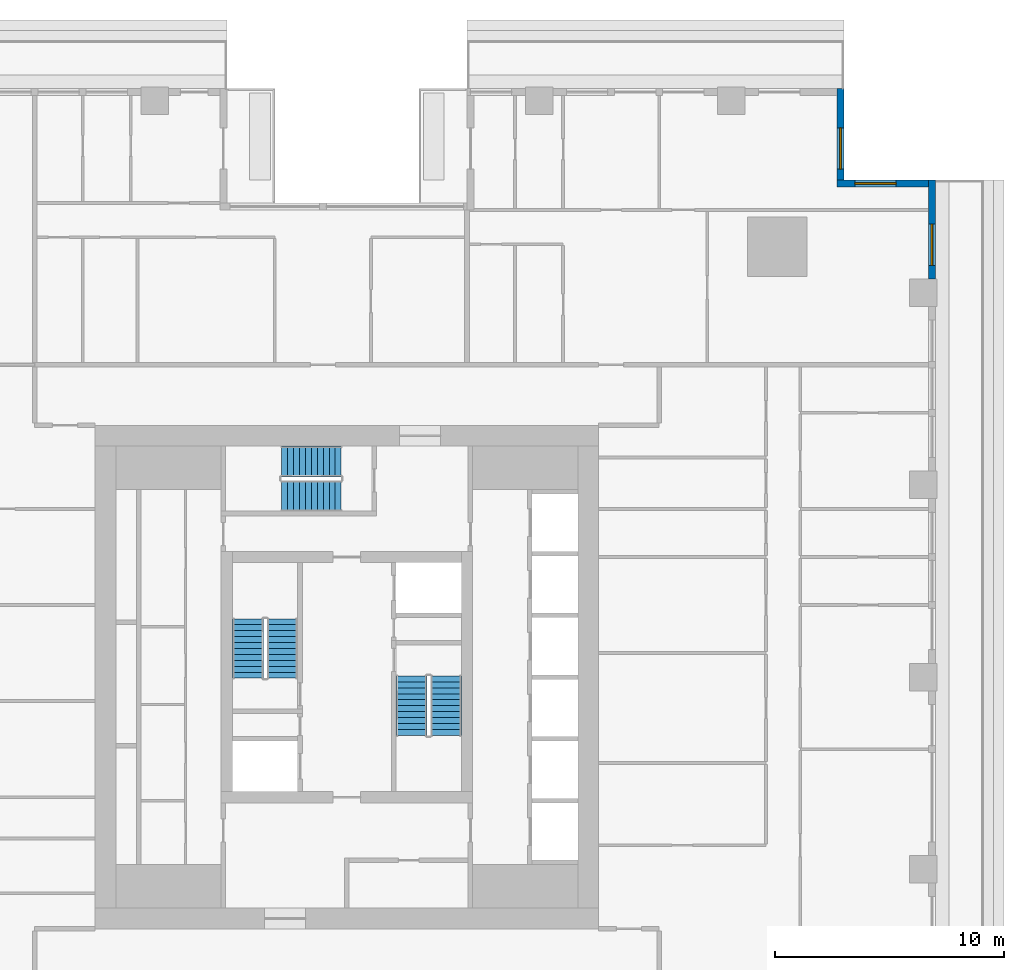
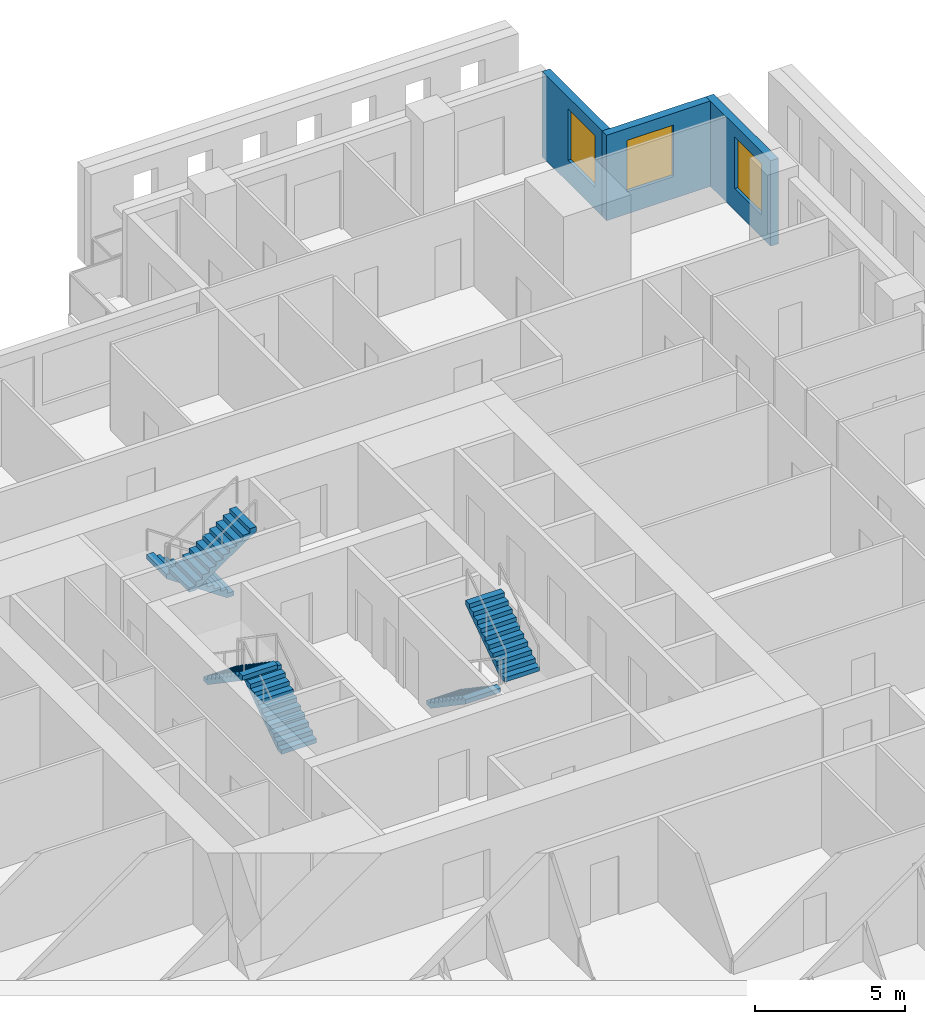
# One storey, part 10 of 16: 6 stair flights, 3 walls, 3 windows, 3 openings, 3 elements without a shape of their own.
"""IFC4 building model written with IfcOpenShell, lengths in metres."""

from ifc_helpers import new_model, si_unit, direction, frame, frame_2d, origin, place, context, subcontext, project, spatial, polyline, rectangle, outline, extrude, material, layer, layer_set, type_object, element, fill, aggregate, save


model = new_model("IFC4")

# Units and contexts
model_context = context("Model", 3, precision=1e-05, world=origin(), true_north=direction((0.0, 1.0)))
body_context = subcontext(model_context, "Body", "Model", "MODEL_VIEW")
ifc_project = project(units=[si_unit("LENGTHUNIT", "METRE"), si_unit("AREAUNIT", "SQUARE_METRE"), si_unit("VOLUMEUNIT", "CUBIC_METRE"), si_unit("PLANEANGLEUNIT", "RADIAN"), si_unit("MASSUNIT", "GRAM", prefix="KILO")], contexts=[model_context])

# Site, building, storey
site_placement = place(None, origin())
site = spatial("IfcSite", under=ifc_project, at=site_placement, CompositionType="ELEMENT")
building_placement = place(site_placement, origin())
building = spatial("IfcBuilding", under=site, at=building_placement, Name="Khepri Terraces", CompositionType="ELEMENT")
storey_placement = place(building_placement, frame((0.0, 0.0, 141.60009765625)))
storey = spatial("IfcBuildingStorey", under=building, at=storey_placement, Name="L33", CompositionType="ELEMENT", Elevation=141.60009765625)

# Wall, opening, window
ifc_material_1 = material(Name="Precast concrete C50/60 warm stone", Category="masonry")
ifc_layer = layer(ifc_material_1, 0.300048828125, Name="Precast concrete C50/60 warm stone", Category="masonry")
ifc_layer_set = layer_set([ifc_layer], Name="Precast concrete C50/60 warm stone")
wall_type = type_object("IfcWallType", Name="WL-EXT-PRECAST-300", PredefinedType="STANDARD", material=ifc_layer_set)
wall_1_placement = place(storey_placement, frame((25.570068359375, 17.39990234375, 0.0), z_axis=(0.0, 0.0, 1.0), x_axis=(0.0, 1.0, 0.0)))
wall_1 = element("IfcWall", 1, at=wall_1_placement, inside=storey, type_object=wall_type, Name="External wall L33 E", PredefinedType="STANDARD", context=body_context, shape_type="SweptSolid", body=[
    extrude(rectangle(XDim=4.320068359375, YDim=0.300048828125, at=frame_2d((2.16015625, 0.0))), origin(), (0.0, 0.0, 1.0), 3.47998046875),
])
opening_1_placement = place(wall_1_placement, frame((0.60009765625, 0.0, 0.89990234375)))
opening_1 = element("IfcOpeningElement", 2, at=opening_1_placement, cuts=wall_1, Name="Opening W1", PredefinedType="OPENING", context=body_context, shape_type="SweptSolid", body=[
    extrude(rectangle(XDim=1.800048828125, YDim=2.10009765625, at=frame_2d((0.89990234375, 1.050048828125))), frame((0.0, 0.16015625, 0.0), z_axis=(0.0, -1.0, 0.0), x_axis=(1.0, 0.0, 0.0)), (0.0, 0.0, 1.0), 0.320068359375),
])
ifc_material_2 = material(Name="Clear glass", Category="glass")
window_type = type_object("IfcWindowType", Name="WIN-RES-1800x2100", PartitioningType="SINGLE_PANEL", PredefinedType="WINDOW", material=ifc_material_2)
window_1_placement = place(opening_1_placement, origin())
window_1 = element("IfcWindow", 3, at=window_1_placement, inside=storey, type_object=window_type, Name="Window L33 E", OverallHeight=2.10009765625, OverallWidth=1.800048828125, PartitioningType="SINGLE_PANEL", PredefinedType="WINDOW", context=body_context, shape_type="SweptSolid", body=[
    extrude(rectangle(XDim=1.800048828125, YDim=2.10009765625, at=frame_2d((0.89990234375, 1.050048828125))), frame((0.0, 0.030029296875, 0.0), z_axis=(0.0, -1.0, 0.0), x_axis=(1.0, 0.0, 0.0)), (0.0, 0.0, 1.0), 0.06005859375),
])
fill(opening_1, window_1)

wall_2_placement = place(storey_placement, frame((25.419921875, 21.570068359375, 0.0), z_axis=(0.0, 0.0, 1.0), x_axis=(-1.0, 0.0, 0.0)))
wall_2 = element("IfcWall", 4, at=wall_2_placement, inside=storey, type_object=wall_type, Name="External wall L33 N", PredefinedType="STANDARD", context=body_context, shape_type="SweptSolid", body=[
    extrude(rectangle(XDim=4.0, YDim=0.300048828125, at=frame_2d((2.0, 0.0))), origin(), (0.0, 0.0, 1.0), 3.47998046875),
])
opening_2_placement = place(wall_2_placement, frame((1.419921875, 0.0, 0.89990234375)))
opening_2 = element("IfcOpeningElement", 5, at=opening_2_placement, cuts=wall_2, Name="Opening W1", PredefinedType="OPENING", context=body_context, shape_type="SweptSolid", body=[
    extrude(rectangle(XDim=1.800048828125, YDim=2.10009765625, at=frame_2d((0.89990234375, 1.050048828125))), frame((0.0, 0.16015625, 0.0), z_axis=(0.0, -1.0, 0.0), x_axis=(1.0, 0.0, 0.0)), (0.0, 0.0, 1.0), 0.320068359375),
])
window_2_placement = place(opening_2_placement, origin())
window_2 = element("IfcWindow", 6, at=window_2_placement, inside=storey, type_object=window_type, Name="Window L33 N", OverallHeight=2.10009765625, OverallWidth=1.800048828125, PartitioningType="SINGLE_PANEL", PredefinedType="WINDOW", context=body_context, shape_type="SweptSolid", body=[
    extrude(rectangle(XDim=1.800048828125, YDim=2.10009765625, at=frame_2d((0.89990234375, 1.050048828125))), frame((0.0, 0.030029296875, 0.0), z_axis=(0.0, -1.0, 0.0), x_axis=(1.0, 0.0, 0.0)), (0.0, 0.0, 1.0), 0.06005859375),
])
fill(opening_2, window_2)

wall_3_placement = place(storey_placement, frame((21.570068359375, 21.719970703125, 0.0), z_axis=(0.0, 0.0, 1.0), x_axis=(0.0, 1.0, 0.0)))
wall_3 = element("IfcWall", 7, at=wall_3_placement, inside=storey, type_object=wall_type, Name="External wall L33 E", PredefinedType="STANDARD", context=body_context, shape_type="SweptSolid", body=[
    extrude(rectangle(XDim=4.0, YDim=0.300048828125, at=frame_2d((2.0, 0.0))), origin(), (0.0, 0.0, 1.0), 3.47998046875),
])
opening_3_placement = place(wall_3_placement, frame((0.47998046875, 0.0, 0.89990234375)))
opening_3 = element("IfcOpeningElement", 8, at=opening_3_placement, cuts=wall_3, Name="Opening W1", PredefinedType="OPENING", context=body_context, shape_type="SweptSolid", body=[
    extrude(rectangle(XDim=1.800048828125, YDim=2.10009765625, at=frame_2d((0.89990234375, 1.050048828125))), frame((0.0, 0.16015625, 0.0), z_axis=(0.0, -1.0, 0.0), x_axis=(1.0, 0.0, 0.0)), (0.0, 0.0, 1.0), 0.320068359375),
])
window_3_placement = place(opening_3_placement, origin())
window_3 = element("IfcWindow", 9, at=window_3_placement, inside=storey, type_object=window_type, Name="Window L33 E", OverallHeight=2.10009765625, OverallWidth=1.800048828125, PartitioningType="SINGLE_PANEL", PredefinedType="WINDOW", context=body_context, shape_type="SweptSolid", body=[
    extrude(rectangle(XDim=1.800048828125, YDim=2.10009765625, at=frame_2d((0.89990234375, 1.050048828125))), frame((0.0, 0.030029296875, 0.0), z_axis=(0.0, -1.0, 0.0), x_axis=(1.0, 0.0, 0.0)), (0.0, 0.0, 1.0), 0.06005859375),
])
fill(opening_3, window_3)

# Stair, stair flights
ifc_material_3 = material(Name="Concrete C40/50", Category="concrete")
stair_type = type_object("IfcStairType", Name="STAIR-RC-22R", PredefinedType="HALF_TURN_STAIR", material=ifc_material_3)
stair_1_placement = place(storey_placement, origin())
stair_1 = element("IfcStair", 10, at=stair_1_placement, inside=storey, type_object=stair_type, Name="L33 Exit Stair ST-1", PredefinedType="HALF_TURN_STAIR")
stair_flight_type = type_object("IfcStairFlightType", Name="SFL-RC-177.3", PredefinedType="STRAIGHT", material=ifc_material_3)
stair_flight_1_placement = place(storey_placement, frame((-2.824951171875, -0.050048828125, 0.0), z_axis=(0.0, 0.0, 1.0), x_axis=(0.0, 1.0, 0.0)))
stair_flight_1 = element("IfcStairFlight", 11, at=stair_flight_1_placement, type_object=stair_flight_type, Name="ST-1 flight 1", NumberOfRisers=11, NumberOfTreads=10, PredefinedType="STRAIGHT", RiserHeight=0.177272727, TreadLength=0.26, context=body_context, shape_type="SweptSolid", body=[
    extrude(outline(polyline([(0.0, 0.0), (0.0, 0.17724609375), (0.260009765625, 0.17724609375), (0.260009765625, 0.3544921875), (0.52001953125, 0.3544921875), (0.52001953125, 0.53173828125), (0.780029296875, 0.53173828125), (0.780029296875, 0.708984375), (1.0400390625, 0.708984375), (1.0400390625, 0.886474609375), (1.300048828125, 0.886474609375), (1.300048828125, 1.063720703125), (1.56005859375, 1.063720703125), (1.56005859375, 1.240966796875), (1.820068359375, 1.240966796875), (1.820068359375, 1.418212890625), (2.080078125, 1.418212890625), (2.080078125, 1.595458984375), (2.340087890625, 1.595458984375), (2.340087890625, 1.772705078125), (2.60009765625, 1.772705078125), (2.60009765625, 1.949951171875), (2.60009765625, 1.59130859375), (0.26611328125, 0.0), (0.0, 0.0)])), frame((0.0, 0.675048828125, 0.0), z_axis=(0.0, -1.0, 0.0), x_axis=(1.0, 0.0, 0.0)), (0.0, 0.0, 1.0), 1.35009765625),
])
stair_flight_2_placement = place(storey_placement, frame((-4.324951171875, 2.550048828125, 1.949951171875), z_axis=(0.0, 0.0, 1.0), x_axis=(0.0, -1.0, 0.0)))
stair_flight_2 = element("IfcStairFlight", 12, at=stair_flight_2_placement, type_object=stair_flight_type, Name="ST-1 flight 2", NumberOfRisers=11, NumberOfTreads=10, PredefinedType="STRAIGHT", RiserHeight=0.177272727, TreadLength=0.26, context=body_context, shape_type="SweptSolid", body=[
    extrude(outline(polyline([(0.0, 0.0), (0.0, 0.17724609375), (0.260009765625, 0.17724609375), (0.260009765625, 0.3544921875), (0.52001953125, 0.3544921875), (0.52001953125, 0.53173828125), (0.780029296875, 0.53173828125), (0.780029296875, 0.708984375), (1.0400390625, 0.708984375), (1.0400390625, 0.886474609375), (1.300048828125, 0.886474609375), (1.300048828125, 1.063720703125), (1.56005859375, 1.063720703125), (1.56005859375, 1.240966796875), (1.820068359375, 1.240966796875), (1.820068359375, 1.418212890625), (2.080078125, 1.418212890625), (2.080078125, 1.595458984375), (2.340087890625, 1.595458984375), (2.340087890625, 1.772705078125), (2.60009765625, 1.772705078125), (2.60009765625, 1.949951171875), (2.60009765625, 1.59130859375), (0.26611328125, 0.0), (0.0, 0.0)])), frame((0.0, 0.675048828125, 0.0), z_axis=(0.0, -1.0, 0.0), x_axis=(1.0, 0.0, 0.0)), (0.0, 0.0, 1.0), 1.35009765625),
])
aggregate(stair_1, [stair_flight_1, stair_flight_2])

stair_2_placement = place(storey_placement, origin())
stair_2 = element("IfcStair", 13, at=stair_2_placement, inside=storey, type_object=stair_type, Name="L33 Exit Stair ST-2", PredefinedType="HALF_TURN_STAIR")
stair_flight_3_placement = place(storey_placement, frame((2.824951171875, 0.050048828125, 0.0), z_axis=(0.0, 0.0, 1.0), x_axis=(0.0, -1.0, 0.0)))
stair_flight_3 = element("IfcStairFlight", 14, at=stair_flight_3_placement, type_object=stair_flight_type, Name="ST-2 flight 1", NumberOfRisers=11, NumberOfTreads=10, PredefinedType="STRAIGHT", RiserHeight=0.177272727, TreadLength=0.26, context=body_context, shape_type="SweptSolid", body=[
    extrude(outline(polyline([(0.0, 0.0), (0.0, 0.17724609375), (0.260009765625, 0.17724609375), (0.260009765625, 0.3544921875), (0.52001953125, 0.3544921875), (0.52001953125, 0.53173828125), (0.780029296875, 0.53173828125), (0.780029296875, 0.708984375), (1.0400390625, 0.708984375), (1.0400390625, 0.886474609375), (1.300048828125, 0.886474609375), (1.300048828125, 1.063720703125), (1.56005859375, 1.063720703125), (1.56005859375, 1.240966796875), (1.820068359375, 1.240966796875), (1.820068359375, 1.418212890625), (2.080078125, 1.418212890625), (2.080078125, 1.595458984375), (2.340087890625, 1.595458984375), (2.340087890625, 1.772705078125), (2.60009765625, 1.772705078125), (2.60009765625, 1.949951171875), (2.60009765625, 1.59130859375), (0.26611328125, 0.0), (0.0, 0.0)])), frame((0.0, 0.675048828125, 0.0), z_axis=(0.0, -1.0, 0.0), x_axis=(1.0, 0.0, 0.0)), (0.0, 0.0, 1.0), 1.35009765625),
])
stair_flight_4_placement = place(storey_placement, frame((4.324951171875, -2.550048828125, 1.949951171875), z_axis=(0.0, 0.0, 1.0), x_axis=(0.0, 1.0, 0.0)))
stair_flight_4 = element("IfcStairFlight", 15, at=stair_flight_4_placement, type_object=stair_flight_type, Name="ST-2 flight 2", NumberOfRisers=11, NumberOfTreads=10, PredefinedType="STRAIGHT", RiserHeight=0.177272727, TreadLength=0.26, context=body_context, shape_type="SweptSolid", body=[
    extrude(outline(polyline([(0.0, 0.0), (0.0, 0.17724609375), (0.260009765625, 0.17724609375), (0.260009765625, 0.3544921875), (0.52001953125, 0.3544921875), (0.52001953125, 0.53173828125), (0.780029296875, 0.53173828125), (0.780029296875, 0.708984375), (1.0400390625, 0.708984375), (1.0400390625, 0.886474609375), (1.300048828125, 0.886474609375), (1.300048828125, 1.063720703125), (1.56005859375, 1.063720703125), (1.56005859375, 1.240966796875), (1.820068359375, 1.240966796875), (1.820068359375, 1.418212890625), (2.080078125, 1.418212890625), (2.080078125, 1.595458984375), (2.340087890625, 1.595458984375), (2.340087890625, 1.772705078125), (2.60009765625, 1.772705078125), (2.60009765625, 1.949951171875), (2.60009765625, 1.59130859375), (0.26611328125, 0.0), (0.0, 0.0)])), frame((0.0, 0.675048828125, 0.0), z_axis=(0.0, -1.0, 0.0), x_axis=(1.0, 0.0, 0.0)), (0.0, 0.0, 1.0), 1.35009765625),
])
aggregate(stair_2, [stair_flight_3, stair_flight_4])

stair_3_placement = place(storey_placement, origin())
stair_3 = element("IfcStair", 16, at=stair_3_placement, inside=storey, type_object=stair_type, Name="L33 Exit Stair ST-3", PredefinedType="HALF_TURN_STAIR")
stair_flight_5_placement = place(storey_placement, frame((-0.25, 9.425048828125, 0.0), z_axis=(0.0, 0.0, 1.0), x_axis=(-1.0, 0.0, 0.0)))
stair_flight_5 = element("IfcStairFlight", 17, at=stair_flight_5_placement, type_object=stair_flight_type, Name="ST-3 flight 1", NumberOfRisers=11, NumberOfTreads=10, PredefinedType="STRAIGHT", RiserHeight=0.177272727, TreadLength=0.26, context=body_context, shape_type="SweptSolid", body=[
    extrude(outline(polyline([(0.0, 0.0), (0.0, 0.17724609375), (0.260009765625, 0.17724609375), (0.260009765625, 0.3544921875), (0.52001953125, 0.3544921875), (0.52001953125, 0.53173828125), (0.780029296875, 0.53173828125), (0.780029296875, 0.708984375), (1.0400390625, 0.708984375), (1.0400390625, 0.886474609375), (1.300048828125, 0.886474609375), (1.300048828125, 1.063720703125), (1.56005859375, 1.063720703125), (1.56005859375, 1.240966796875), (1.820068359375, 1.240966796875), (1.820068359375, 1.418212890625), (2.080078125, 1.418212890625), (2.080078125, 1.595458984375), (2.340087890625, 1.595458984375), (2.340087890625, 1.772705078125), (2.60009765625, 1.772705078125), (2.60009765625, 1.949951171875), (2.60009765625, 1.59130859375), (0.26611328125, 0.0), (0.0, 0.0)])), frame((0.0, 0.675048828125, 0.0), z_axis=(0.0, -1.0, 0.0), x_axis=(1.0, 0.0, 0.0)), (0.0, 0.0, 1.0), 1.35009765625),
])
stair_flight_6_placement = place(storey_placement, frame((-2.85009765625, 7.925048828125, 1.949951171875), z_axis=(0.0, 0.0, 1.0), x_axis=(1.0, 0.0, 0.0)))
stair_flight_6 = element("IfcStairFlight", 18, at=stair_flight_6_placement, type_object=stair_flight_type, Name="ST-3 flight 2", NumberOfRisers=11, NumberOfTreads=10, PredefinedType="STRAIGHT", RiserHeight=0.177272727, TreadLength=0.26, context=body_context, shape_type="SweptSolid", body=[
    extrude(outline(polyline([(0.0, 0.0), (0.0, 0.17724609375), (0.260009765625, 0.17724609375), (0.260009765625, 0.3544921875), (0.52001953125, 0.3544921875), (0.52001953125, 0.53173828125), (0.780029296875, 0.53173828125), (0.780029296875, 0.708984375), (1.0400390625, 0.708984375), (1.0400390625, 0.886474609375), (1.300048828125, 0.886474609375), (1.300048828125, 1.063720703125), (1.56005859375, 1.063720703125), (1.56005859375, 1.240966796875), (1.820068359375, 1.240966796875), (1.820068359375, 1.418212890625), (2.080078125, 1.418212890625), (2.080078125, 1.595458984375), (2.340087890625, 1.595458984375), (2.340087890625, 1.772705078125), (2.60009765625, 1.772705078125), (2.60009765625, 1.949951171875), (2.60009765625, 1.59130859375), (0.26611328125, 0.0), (0.0, 0.0)])), frame((0.0, 0.675048828125, 0.0), z_axis=(0.0, -1.0, 0.0), x_axis=(1.0, 0.0, 0.0)), (0.0, 0.0, 1.0), 1.35009765625),
])
aggregate(stair_3, [stair_flight_5, stair_flight_6])

save(model, "model.ifc")
